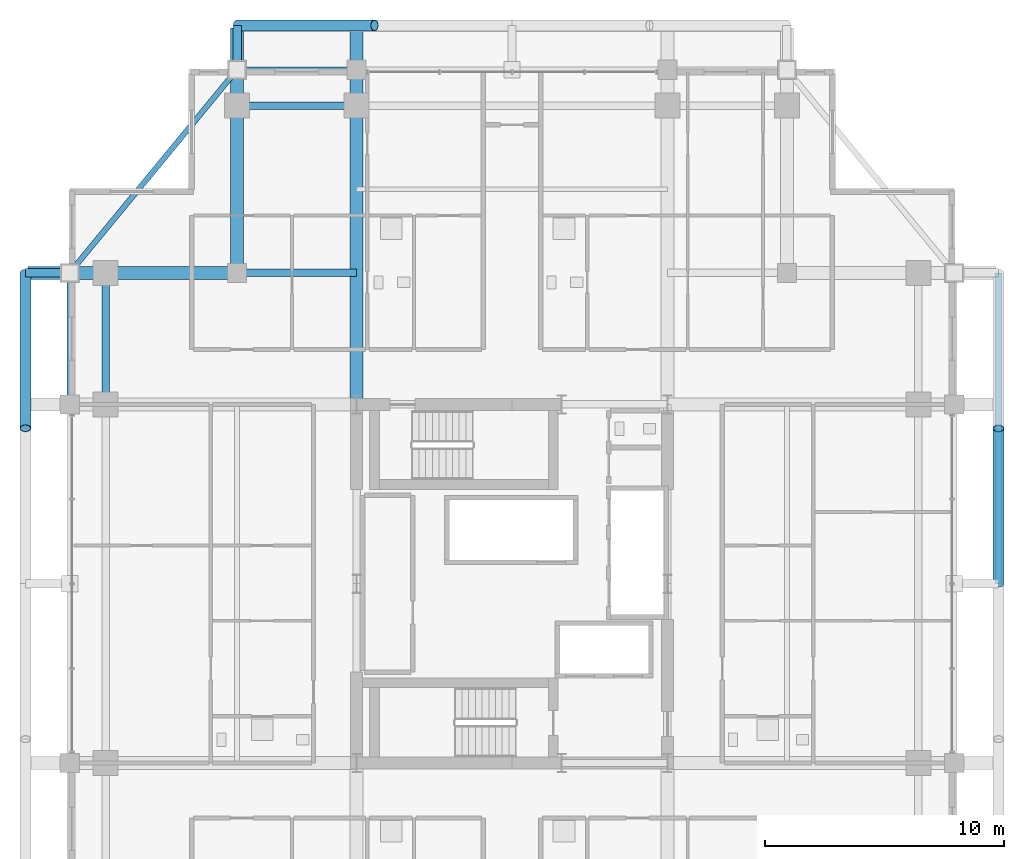
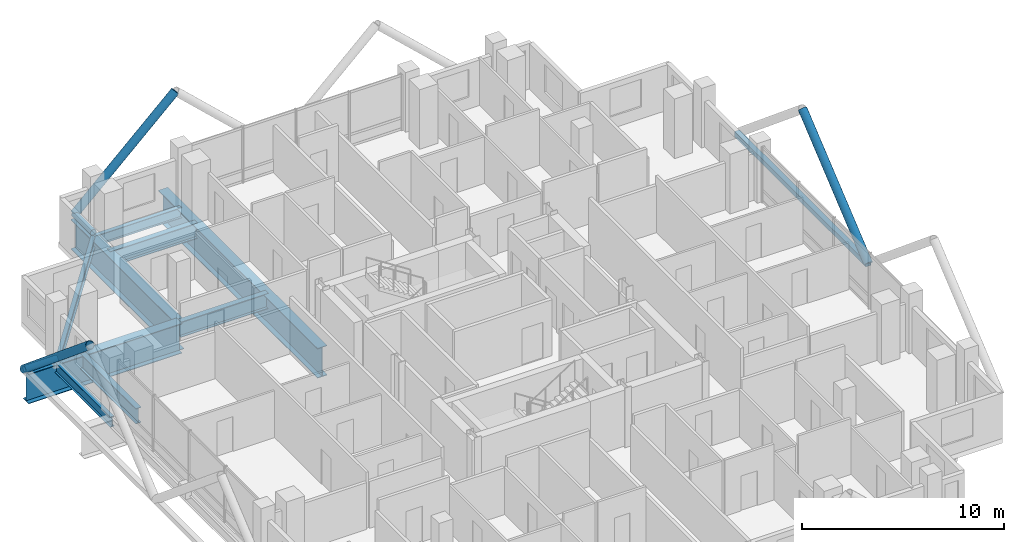
# One storey, part 9 of 23: 9 beams, 6 members.
"""IFC4 building model written with IfcOpenShell, lengths in metres."""

from ifc_helpers import new_model, si_unit, direction, frame, origin, origin_2d, place, context, subcontext, project, spatial, hollow_rectangle, hollow_circle, i_section, extrude, material, material_profile, profile_set, type_object, element, save


model = new_model("IFC4")

# Units and contexts
model_context = context("Model", 3, precision=1e-05, world=origin(), true_north=direction((0.0, 1.0)))
body_context = subcontext(model_context, "Body", "Model", "MODEL_VIEW")
ifc_project = project(units=[si_unit("LENGTHUNIT", "METRE"), si_unit("AREAUNIT", "SQUARE_METRE"), si_unit("VOLUMEUNIT", "CUBIC_METRE"), si_unit("PLANEANGLEUNIT", "RADIAN"), si_unit("MASSUNIT", "GRAM", prefix="KILO")], contexts=[model_context])

# Site, building, storey
site_placement = place(None, origin())
site = spatial("IfcSite", under=ifc_project, at=site_placement, CompositionType="ELEMENT")
building_placement = place(site_placement, origin())
building = spatial("IfcBuilding", under=site, at=building_placement, Name="Barlavira Tower and Art Museum", CompositionType="ELEMENT")
storey_placement = place(building_placement, frame((0.0, 0.0, 165.60009765625)))
storey = spatial("IfcBuildingStorey", under=building, at=storey_placement, Name="L42", CompositionType="ELEMENT", Elevation=165.60009765625)

# Members
ifc_material = material(Name="Steel S355", Category="steel")
ifc_material_profile_1 = material_profile(ifc_material, hollow_circle(Radius=0.228515625, WallThickness=0.02001953125, at=origin_2d()), Name="CHS 457.0x20.0")
ifc_profile_set_1 = profile_set([ifc_material_profile_1], Name="Steel S355")
member_type_1 = type_object("IfcMemberType", Name="Pale-Metal Exoskeleton Diagrid Tube CHS 457x20 Steel S355", PredefinedType="BRACE", material=ifc_profile_set_1)
member_1_placement = place(storey_placement, frame((-11.5, 23.35009765625, -0.1201171875), z_axis=(0.728950095515, 0.0, 0.684566839869), x_axis=(0.0, 1.0, 0.0)))
element("IfcMember", 1, at=member_1_placement, inside=storey, type_object=member_type_1, Name="L42 Exoskeleton Diagrid Tube N", PredefinedType="BRACE", context=body_context, shape_type="SweptSolid", body=[
    extrude(hollow_circle(Radius=0.228515625, WallThickness=0.02001953125, at=origin_2d()), origin(), (0.0, 0.0, 1.0), 7.887939453125),
])
for number, where, z_axis, x_axis, name in (
    (2, (-20.35009765625, 13.0, -0.1201171875), (0.0, -0.769196053329, 0.639012857104), (1.0, 0.0, 0.0), "L42 Exoskeleton Diagrid Tube W"),
    (3, (20.35009765625, 0.0, -0.1201171875), (0.0, 0.769196053329, 0.639012857104), (-1.0, 0.0, 0.0), "L42 Exoskeleton Diagrid Tube E"),
):
    element("IfcMember", number, at=place(storey_placement, frame(where, z_axis=z_axis, x_axis=x_axis)), inside=storey, type_object=member_type_1, Name=name, PredefinedType="BRACE", context=body_context, shape_type="SweptSolid", body=[
        extrude(hollow_circle(Radius=0.228515625, WallThickness=0.02001953125, at=origin_2d()), origin(), (0.0, 0.0, 1.0), 8.450439453125),
    ])
ifc_material_profile_2 = material_profile(ifc_material, hollow_circle(Radius=0.177734375, WallThickness=0.01611328125, at=origin_2d()), Name="CHS 355.6x16.0")
ifc_profile_set_2 = profile_set([ifc_material_profile_2], Name="Steel S355")
member_type_2 = type_object("IfcMemberType", Name="Pale-Metal Exoskeleton Tie Strut CHS 356x16 Steel S355", PredefinedType="STRUT", material=ifc_profile_set_2)
for number, where, z_axis, x_axis, name in (
    (4, (-11.5, 23.35009765625, -0.1201171875), (0.0, -1.0, 0.0), (1.0, 0.0, 0.0), "L42 Exoskeleton Tie Strut N1"),
    (5, (-20.35009765625, 13.0, -0.1201171875), (1.0, 0.0, 0.0), (0.0, 1.0, 0.0), "L42 Exoskeleton Tie Strut W3"),
):
    element("IfcMember", number, at=place(storey_placement, frame(where, z_axis=z_axis, x_axis=x_axis)), inside=storey, type_object=member_type_2, Name=name, PredefinedType="STRUT", context=body_context, shape_type="SweptSolid", body=[
        extrude(hollow_circle(Radius=0.177734375, WallThickness=0.01611328125, at=origin_2d()), origin(), (0.0, 0.0, 1.0), 1.85009765625),
    ])
ifc_material_profile_3 = material_profile(ifc_material, hollow_rectangle(XDim=0.300048828125, YDim=0.300048828125, WallThickness=0.01611328125, at=origin_2d()), Name="SHS 300x300x16.0")
ifc_profile_set_3 = profile_set([ifc_material_profile_3], Name="Steel S355")
member_type_3 = type_object("IfcMemberType", Name="Pale-Metal Upper Ring Strut SHS 300x300x16 Steel S355", PredefinedType="STRUT", material=ifc_profile_set_3)
member_2_placement = place(storey_placement, frame((20.35009765625, 0.0, -0.1201171875), z_axis=(0.0, 1.0, 0.0), x_axis=(-1.0, 0.0, 0.0)))
element("IfcMember", 6, at=member_2_placement, inside=storey, type_object=member_type_3, Name="L42 Exoskeleton Ring Strut E", PredefinedType="STRUT", context=body_context, shape_type="SweptSolid", body=[
    extrude(hollow_rectangle(XDim=0.300048828125, YDim=0.300048828125, WallThickness=0.01611328125, at=origin_2d()), origin(), (0.0, 0.0, 1.0), 13.0),
])

# Beams
ifc_material_profile_4 = material_profile(ifc_material, i_section(OverallWidth=0.30908203125, OverallDepth=0.931884765625, WebThickness=0.01953125, FlangeThickness=0.034423828125, at=origin_2d()), Name="W920x313.0")
ifc_profile_set_4 = profile_set([ifc_material_profile_4], Name="Steel S355")
beam_type_1 = type_object("IfcBeamType", Name="Setback Ring Girder W920x313 Steel S355", PredefinedType="BEAM", material=ifc_profile_set_4)
beam_1_placement = place(storey_placement, frame((-11.5, 20.0, -0.76611328125), z_axis=(1.0, 0.0, 0.0), x_axis=(0.0, 1.0, 0.0)))
element("IfcBeam", 7, at=beam_1_placement, inside=storey, type_object=beam_type_1, Name="L42 Girder M-N1", PredefinedType="BEAM", context=body_context, shape_type="SweptSolid", body=[
    extrude(i_section(OverallWidth=0.30908203125, OverallDepth=0.931884765625, WebThickness=0.01953125, FlangeThickness=0.034423828125, at=origin_2d()), origin(), (0.0, 0.0, 1.0), 5.0),
])
beam_2_placement = place(storey_placement, frame((-17.0, 7.5, -0.76611328125), z_axis=(0.0, 1.0, 0.0), x_axis=(-1.0, 0.0, 0.0)))
element("IfcBeam", 8, at=beam_2_placement, inside=storey, type_object=beam_type_1, Name="L42 Girder M-W3", PredefinedType="BEAM", context=body_context, shape_type="SweptSolid", body=[
    extrude(i_section(OverallWidth=0.30908203125, OverallDepth=0.931884765625, WebThickness=0.01953125, FlangeThickness=0.034423828125, at=origin_2d()), origin(), (0.0, 0.0, 1.0), 5.5),
])
beam_3_placement = place(storey_placement, frame((-11.5, 13.0, -0.76611328125), z_axis=(1.0, 0.0, 0.0), x_axis=(0.0, 1.0, 0.0)))
element("IfcBeam", 9, at=beam_3_placement, inside=storey, type_object=beam_type_1, Name="L42 Girder I-N2", PredefinedType="BEAM", context=body_context, shape_type="SweptSolid", body=[
    extrude(i_section(OverallWidth=0.30908203125, OverallDepth=0.931884765625, WebThickness=0.01953125, FlangeThickness=0.034423828125, at=origin_2d()), origin(), (0.0, 0.0, 1.0), 5.0),
])
ifc_material_profile_5 = material_profile(ifc_material, i_section(OverallWidth=0.22998046875, OverallDepth=0.616943359375, WebThickness=0.01318359375, FlangeThickness=0.022216796875, at=origin_2d()), Name="W610x140.0")
ifc_profile_set_5 = profile_set([ifc_material_profile_5], Name="Steel S355")
beam_type_2 = type_object("IfcBeamType", Name="Upper Shaft Spandrel Edge Beam W610x140 Steel S355", PredefinedType="SPANDREL", material=ifc_profile_set_5)
beam_4_placement = place(storey_placement, frame((-11.5, 21.5, -0.608642578125), z_axis=(1.0, 0.0, 0.0), x_axis=(0.0, 1.0, 0.0)))
element("IfcBeam", 10, at=beam_4_placement, inside=storey, type_object=beam_type_2, Name="L42 Spandrel 11", PredefinedType="SPANDREL", context=body_context, shape_type="SweptSolid", body=[
    extrude(i_section(OverallWidth=0.22998046875, OverallDepth=0.616943359375, WebThickness=0.01318359375, FlangeThickness=0.022216796875, at=origin_2d()), origin(), (0.0, 0.0, 1.0), 5.0),
])
beam_5_placement = place(storey_placement, frame((-11.5, 21.5, -0.608642578125), z_axis=(-0.635707252861, -0.771930235617, 0.0), x_axis=(0.771930235617, -0.635707252861, 0.0)))
element("IfcBeam", 11, at=beam_5_placement, inside=storey, type_object=beam_type_2, Name="L42 Spandrel 12", PredefinedType="SPANDREL", context=body_context, shape_type="SweptSolid", body=[
    extrude(i_section(OverallWidth=0.22998046875, OverallDepth=0.616943359375, WebThickness=0.01318359375, FlangeThickness=0.022216796875, at=origin_2d()), origin(), (0.0, 0.0, 1.0), 11.011474609375),
])
beam_6_placement = place(storey_placement, frame((-18.5, 7.5, -0.608642578125), z_axis=(0.0, 1.0, 0.0), x_axis=(-1.0, 0.0, 0.0)))
element("IfcBeam", 12, at=beam_6_placement, inside=storey, type_object=beam_type_2, Name="L42 Spandrel 13", PredefinedType="SPANDREL", context=body_context, shape_type="SweptSolid", body=[
    extrude(i_section(OverallWidth=0.22998046875, OverallDepth=0.616943359375, WebThickness=0.01318359375, FlangeThickness=0.022216796875, at=origin_2d()), origin(), (0.0, 0.0, 1.0), 5.5),
])
ifc_material_profile_6 = material_profile(ifc_material, i_section(OverallWidth=0.550048828125, OverallDepth=1.800048828125, WebThickness=0.02587890625, FlangeThickness=0.033935546875, at=origin_2d()), Name="CVS1800x520")
ifc_profile_set_6 = profile_set([ifc_material_profile_6], Name="Steel S355")
beam_type_3 = type_object("IfcBeamType", Name="Zone Setback Transfer Girder CVS1800x520 Steel S355", PredefinedType="USERDEFINED", material=ifc_profile_set_6)
beam_7_placement = place(storey_placement, frame((-11.5, 13.0, -1.2001953125), z_axis=(0.0, 1.0, 0.0), x_axis=(-1.0, 0.0, 0.0)))
element("IfcBeam", 13, at=beam_7_placement, inside=storey, type_object=beam_type_3, Name="L42 Setback Transfer Girder TGL42-04", ObjectType="TRANSFER GIRDER", PredefinedType="USERDEFINED", context=body_context, shape_type="SweptSolid", body=[
    extrude(i_section(OverallWidth=0.550048828125, OverallDepth=1.800048828125, WebThickness=0.02587890625, FlangeThickness=0.033935546875, at=origin_2d()), origin(), (0.0, 0.0, 1.0), 10.25),
])
beam_8_placement = place(storey_placement, frame((-6.5, 7.5, -1.2001953125), z_axis=(0.0, 1.0, 0.0), x_axis=(-1.0, 0.0, 0.0)))
element("IfcBeam", 14, at=beam_8_placement, inside=storey, type_object=beam_type_3, Name="L42 Setback Transfer Girder TGL42-05A", ObjectType="TRANSFER GIRDER", PredefinedType="USERDEFINED", context=body_context, shape_type="SweptSolid", body=[
    extrude(i_section(OverallWidth=0.550048828125, OverallDepth=1.800048828125, WebThickness=0.02587890625, FlangeThickness=0.033935546875, at=origin_2d()), origin(), (0.0, 0.0, 1.0), 15.75),
])
beam_9_placement = place(storey_placement, frame((-20.25, 13.0, -1.2001953125), z_axis=(1.0, 0.0, 0.0), x_axis=(0.0, 1.0, 0.0)))
element("IfcBeam", 15, at=beam_9_placement, inside=storey, type_object=beam_type_3, Name="L42 Setback Transfer Girder TGL42-09", ObjectType="TRANSFER GIRDER", PredefinedType="USERDEFINED", context=body_context, shape_type="SweptSolid", body=[
    extrude(i_section(OverallWidth=0.550048828125, OverallDepth=1.800048828125, WebThickness=0.02587890625, FlangeThickness=0.033935546875, at=origin_2d()), origin(), (0.0, 0.0, 1.0), 8.75),
])

save(model, "model.ifc")
